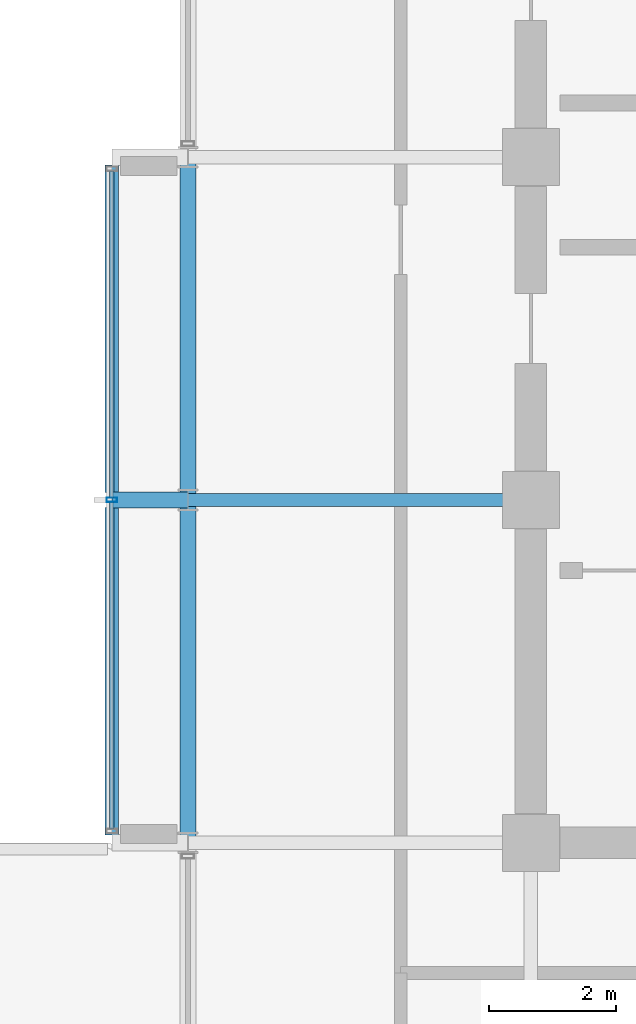
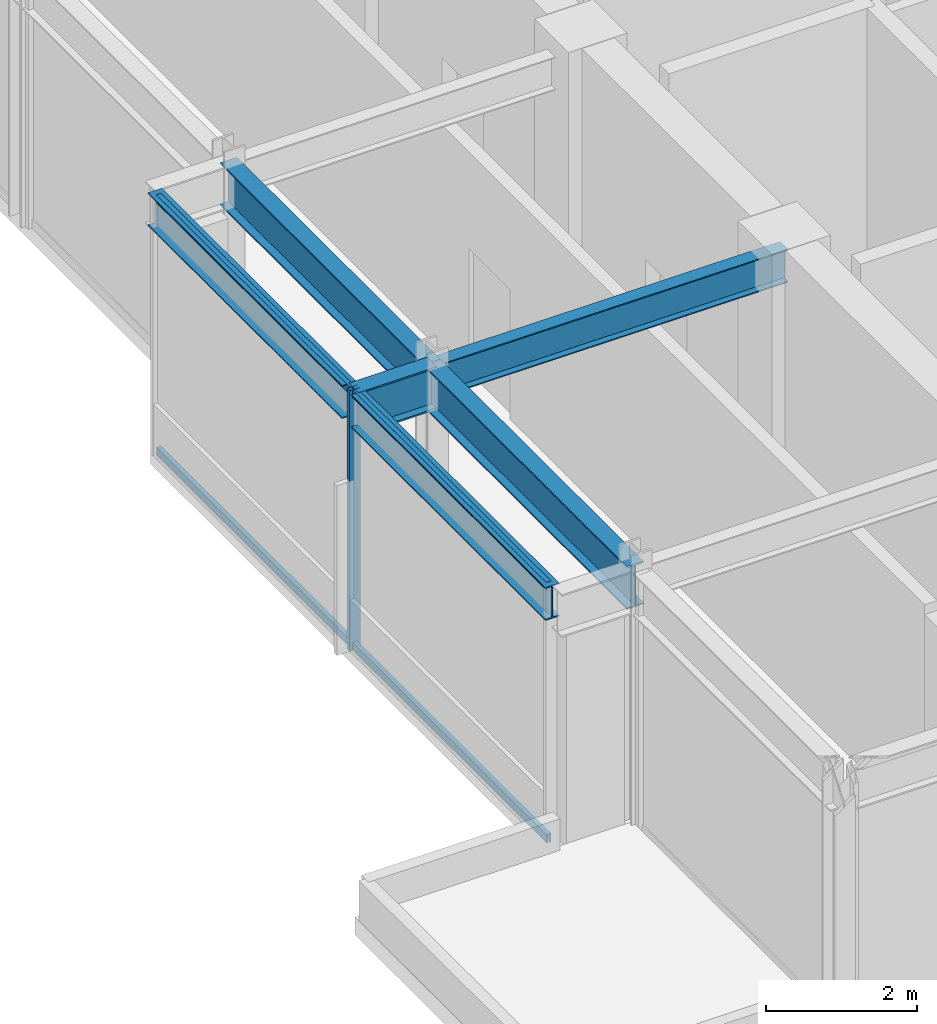
# One storey, part 3 of 18: 6 beams, 5 members, 1 element without a shape of its own.
"""IFC4 building model written with IfcOpenShell, lengths in metres."""

from ifc_helpers import new_model, si_unit, direction, frame, origin, origin_2d, place, context, subcontext, project, spatial, hollow_rectangle, i_section, extrude, material, layer, layer_set, material_profile, profile_set, type_object, element, aggregate, save


model = new_model("IFC4")

# Units and contexts
model_context = context("Model", 3, precision=1e-05, world=origin(), true_north=direction((0.0, 1.0)))
body_context = subcontext(model_context, "Body", "Model", "MODEL_VIEW")
ifc_project = project(units=[si_unit("LENGTHUNIT", "METRE"), si_unit("AREAUNIT", "SQUARE_METRE"), si_unit("VOLUMEUNIT", "CUBIC_METRE"), si_unit("PLANEANGLEUNIT", "RADIAN"), si_unit("MASSUNIT", "GRAM", prefix="KILO")], contexts=[model_context])

# Site, building, storey
site_placement = place(None, origin())
site = spatial("IfcSite", under=ifc_project, at=site_placement, CompositionType="ELEMENT")
building_placement = place(site_placement, origin())
building = spatial("IfcBuilding", under=site, at=building_placement, Name="Surkhivell Harbour Commons", CompositionType="ELEMENT")
storey_placement = place(building_placement, frame((0.0, 0.0, 355.5)))
storey = spatial("IfcBuildingStorey", under=building, at=storey_placement, Name="L92", CompositionType="ELEMENT", Elevation=355.5)

# Beams
ifc_material_1 = material(Name="Steel S460", Category="steel")
ifc_material_profile_1 = material_profile(ifc_material_1, i_section(OverallWidth=0.256103515625, OverallDepth=0.693115234375, WebThickness=0.014404296875, FlangeThickness=0.023681640625, at=origin_2d()), Name="UB686x254x170")
ifc_profile_set_1 = profile_set([ifc_material_profile_1], Name="Steel S460")
beam_type_1 = type_object("IfcBeamType", Name="BM-CNT-686", PredefinedType="BEAM", material=ifc_profile_set_1)
beam_1_placement = place(storey_placement, frame((-16.199951171875, -5.39990234375, 3.87353515625), z_axis=(-1.0, 0.0, 0.0), x_axis=(0.0, -1.0, 0.0)))
element("IfcBeam", 1, at=beam_1_placement, inside=storey, type_object=beam_type_1, Name="L92 Box Cantilever Outrigger (-16.2,-5.4)", PredefinedType="BEAM", context=body_context, shape_type="SweptSolid", body=[
    extrude(i_section(OverallWidth=0.256103515625, OverallDepth=0.693115234375, WebThickness=0.014404296875, FlangeThickness=0.023681640625, at=origin_2d()), origin(), (0.0, 0.0, 1.0), 1.199951171875),
])
ifc_material_2 = material(Name="Steel S355", Category="steel")
ifc_material_profile_2 = material_profile(ifc_material_2, i_section(OverallWidth=0.2099609375, OverallDepth=0.537109375, WebThickness=0.0107421875, FlangeThickness=0.017333984375, at=origin_2d()), Name="UB533x210x101")
ifc_profile_set_2 = profile_set([ifc_material_profile_2], Name="Steel S355")
beam_type_2 = type_object("IfcBeamType", Name="BM-GRD-533B", PredefinedType="BEAM", material=ifc_profile_set_2)
beam_2_placement = place(storey_placement, frame((-16.199951171875, -5.39990234375, 3.951416015625), z_axis=(1.0, 0.0, 0.0), x_axis=(0.0, 1.0, 0.0)))
element("IfcBeam", 2, at=beam_2_placement, inside=storey, type_object=beam_type_2, Name="L92 Floor Girder (-16.2,-5.4)", PredefinedType="BEAM", context=body_context, shape_type="SweptSolid", body=[
    extrude(i_section(OverallWidth=0.2099609375, OverallDepth=0.537109375, WebThickness=0.0107421875, FlangeThickness=0.017333984375, at=origin_2d()), origin(), (0.0, 0.0, 1.0), 5.39990234375),
])
for number, where, z_axis, x_axis, name in (
    (3, (-17.39990234375, -10.677978515625, 3.951416015625), (0.0, 1.0, 0.0), (-1.0, 0.0, 0.0), "L92 Box Rim Spandrel (-17.4,-10.8)"),
    (4, (-17.39990234375, -5.278076171875, 3.951416015625), (0.0, 1.0, 0.0), (-1.0, 0.0, 0.0), "L92 Box Rim Spandrel (-17.4,-5.4)"),
):
    element("IfcBeam", number, at=place(storey_placement, frame(where, z_axis=z_axis, x_axis=x_axis)), inside=storey, type_object=beam_type_2, Name=name, PredefinedType="BEAM", context=body_context, shape_type="SweptSolid", body=[
        extrude(i_section(OverallWidth=0.2099609375, OverallDepth=0.537109375, WebThickness=0.0107421875, FlangeThickness=0.017333984375, at=origin_2d()), origin(), (0.0, 0.0, 1.0), 5.156005859375),
    ])
ifc_material_profile_3 = material_profile(ifc_material_2, i_section(OverallWidth=0.256103515625, OverallDepth=0.693115234375, WebThickness=0.014404296875, FlangeThickness=0.023681640625, at=origin_2d()), Name="UB686x254x170")
ifc_profile_set_3 = profile_set([ifc_material_profile_3], Name="Steel S355")
beam_type_3 = type_object("IfcBeamType", Name="BM-SPN-686", PredefinedType="SPANDREL", material=ifc_profile_set_3)
beam_3_placement = place(storey_placement, frame((-16.199951171875, -10.800048828125, 3.87353515625), z_axis=(0.0, 1.0, 0.0), x_axis=(-1.0, 0.0, 0.0)))
element("IfcBeam", 5, at=beam_3_placement, inside=storey, type_object=beam_type_3, Name="L92 Tube Spandrel (-16.2,-10.8)", PredefinedType="SPANDREL", context=body_context, shape_type="SweptSolid", body=[
    extrude(i_section(OverallWidth=0.256103515625, OverallDepth=0.693115234375, WebThickness=0.014404296875, FlangeThickness=0.023681640625, at=origin_2d()), origin(), (0.0, 0.0, 1.0), 5.400146484375),
])
beam_4_placement = place(storey_placement, frame((-16.199951171875, -5.39990234375, 3.87353515625), z_axis=(0.0, 1.0, 0.0), x_axis=(-1.0, 0.0, 0.0)))
element("IfcBeam", 6, at=beam_4_placement, inside=storey, type_object=beam_type_3, Name="L92 Tube Spandrel (-16.2,-5.4)", PredefinedType="SPANDREL", context=body_context, shape_type="SweptSolid", body=[
    extrude(i_section(OverallWidth=0.256103515625, OverallDepth=0.693115234375, WebThickness=0.014404296875, FlangeThickness=0.023681640625, at=origin_2d()), origin(), (0.0, 0.0, 1.0), 5.39990234375),
])

# Curtain wall, members
ifc_material_3 = material(Name="Anodised pale-metal aluminium and insulated glazing", Category="aluminium")
ifc_layer = layer(ifc_material_3, 0.1650390625)
ifc_layer_set = layer_set([ifc_layer], Name="Anodised pale-metal aluminium and insulated glazing")
curtain_wall_type = type_object("IfcCurtainWallType", Name="CW-SYS-BOX", PredefinedType="NOTDEFINED", material=ifc_layer_set)
curtain_wall_placement = place(storey_placement, origin())
curtain_wall = element("IfcCurtainWall", 7, at=curtain_wall_placement, inside=storey, type_object=curtain_wall_type, Name="L92 Curtain Wall CW-L92-BOX03", PredefinedType="NOTDEFINED")
ifc_material_4 = material(Name="Champagne anodised aluminium alloy 6063-T6", Category="aluminium")
ifc_material_profile_4 = material_profile(ifc_material_4, hollow_rectangle(XDim=0.070068359375, YDim=0.1650390625, WallThickness=0.00341796875, at=origin_2d()), Name="ALU-MULL-70x165")
ifc_profile_set_4 = profile_set([ifc_material_profile_4], Name="Champagne anodised aluminium alloy 6063-T6")
member_type_1 = type_object("IfcMemberType", Name="CWM-165", PredefinedType="MULLION", material=ifc_profile_set_4)
member_1_placement = place(storey_placement, frame((-17.39990234375, -5.39990234375, 0.0), z_axis=(0.0, 0.0, 1.0), x_axis=(0.0, 1.0, 0.0)))
member_1 = element("IfcMember", 8, at=member_1_placement, type_object=member_type_1, Name="CW-BOX mullion 2", PredefinedType="MULLION", context=body_context, shape_type="SweptSolid", body=[
    extrude(hollow_rectangle(XDim=0.070068359375, YDim=0.1650390625, WallThickness=0.00341796875, at=origin_2d()), origin(), (0.0, 0.0, 1.0), 4.219970703125),
])
ifc_material_profile_5 = material_profile(ifc_material_4, hollow_rectangle(XDim=0.070068359375, YDim=0.1298828125, WallThickness=0.00341796875, at=origin_2d()), Name="ALU-TRAN-70x130")
ifc_profile_set_5 = profile_set([ifc_material_profile_5], Name="Champagne anodised aluminium alloy 6063-T6")
member_type_2 = type_object("IfcMemberType", Name="CWT-130", PredefinedType="USERDEFINED", material=ifc_profile_set_5)
member_2_placement = place(storey_placement, frame((-17.39990234375, -10.580078125, 0.06494140625), z_axis=(0.0, 1.0, 0.0), x_axis=(-1.0, 0.0, 0.0)))
member_2 = element("IfcMember", 9, at=member_2_placement, type_object=member_type_2, Name="CW-BOX transom 1.1", ObjectType="TRANSOM", PredefinedType="USERDEFINED", context=body_context, shape_type="SweptSolid", body=[
    extrude(hollow_rectangle(XDim=0.070068359375, YDim=0.1298828125, WallThickness=0.00341796875, at=origin_2d()), origin(), (0.0, 0.0, 1.0), 5.14501953125),
])
member_3_placement = place(storey_placement, frame((-17.39990234375, -10.580078125, 4.155029296875), z_axis=(0.0, 1.0, 0.0), x_axis=(-1.0, 0.0, 0.0)))
member_3 = element("IfcMember", 10, at=member_3_placement, type_object=member_type_2, Name="CW-BOX transom 1.2", ObjectType="TRANSOM", PredefinedType="USERDEFINED", context=body_context, shape_type="SweptSolid", body=[
    extrude(hollow_rectangle(XDim=0.070068359375, YDim=0.1298828125, WallThickness=0.00341796875, at=origin_2d()), origin(), (0.0, 0.0, 1.0), 5.14501953125),
])
member_4_placement = place(storey_placement, frame((-17.39990234375, -5.364990234375, 0.06494140625), z_axis=(0.0, 1.0, 0.0), x_axis=(-1.0, 0.0, 0.0)))
member_4 = element("IfcMember", 11, at=member_4_placement, type_object=member_type_2, Name="CW-BOX transom 2.1", ObjectType="TRANSOM", PredefinedType="USERDEFINED", context=body_context, shape_type="SweptSolid", body=[
    extrude(hollow_rectangle(XDim=0.070068359375, YDim=0.1298828125, WallThickness=0.00341796875, at=origin_2d()), origin(), (0.0, 0.0, 1.0), 5.14501953125),
])
member_5_placement = place(storey_placement, frame((-17.39990234375, -5.364990234375, 4.155029296875), z_axis=(0.0, 1.0, 0.0), x_axis=(-1.0, 0.0, 0.0)))
member_5 = element("IfcMember", 12, at=member_5_placement, type_object=member_type_2, Name="CW-BOX transom 2.2", ObjectType="TRANSOM", PredefinedType="USERDEFINED", context=body_context, shape_type="SweptSolid", body=[
    extrude(hollow_rectangle(XDim=0.070068359375, YDim=0.1298828125, WallThickness=0.00341796875, at=origin_2d()), origin(), (0.0, 0.0, 1.0), 5.14501953125),
])
aggregate(curtain_wall, [member_1, member_2, member_3, member_4, member_5])

save(model, "model.ifc")
